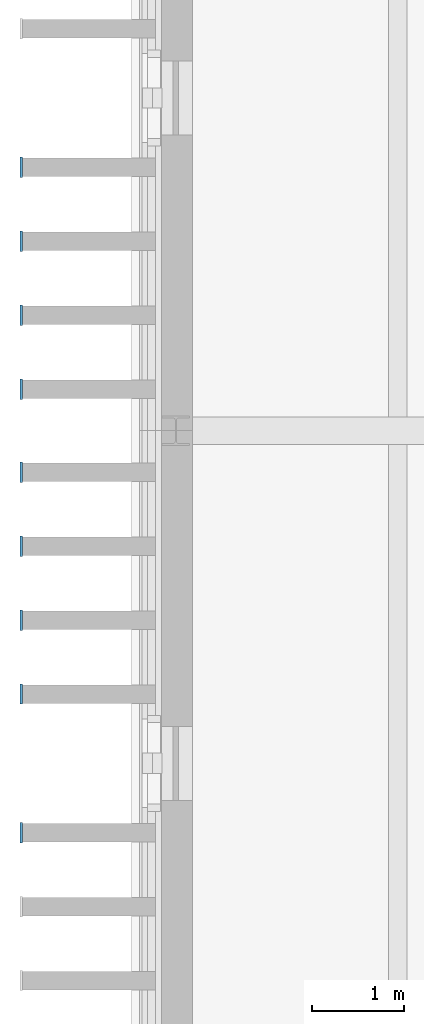
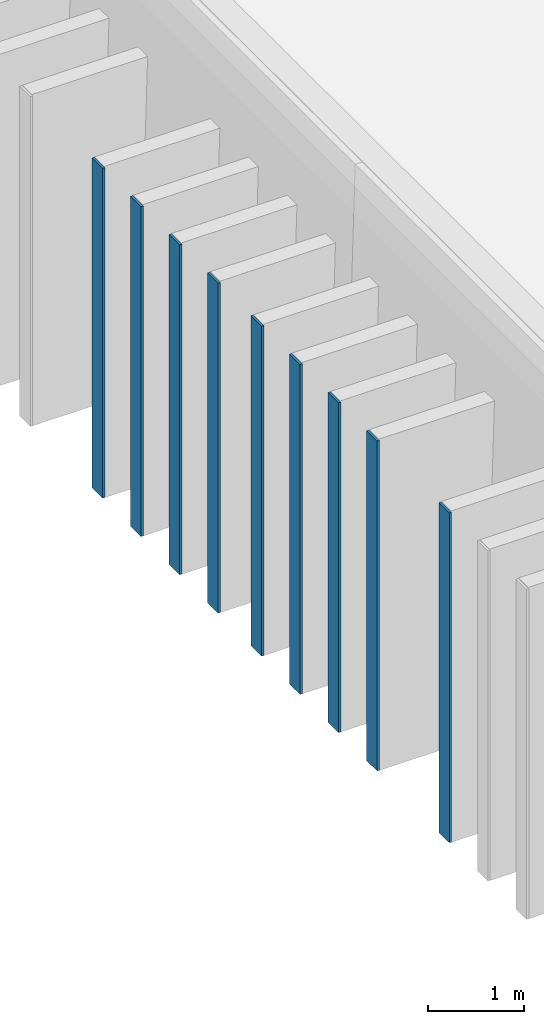
# One storey, part 14 of 44: 9 plates.
"""IFC4 building model written with IfcOpenShell, lengths in metres."""

from ifc_helpers import new_model, si_unit, direction, frame, origin, origin_2d, place, context, subcontext, project, spatial, rectangle, extrude, material, layer, layer_set, type_object, element, save


model = new_model("IFC4")

# Units and contexts
model_context = context("Model", 3, precision=1e-05, world=origin(), true_north=direction((0.0, 1.0)))
body_context = subcontext(model_context, "Body", "Model", "MODEL_VIEW")
ifc_project = project(units=[si_unit("LENGTHUNIT", "METRE"), si_unit("AREAUNIT", "SQUARE_METRE"), si_unit("VOLUMEUNIT", "CUBIC_METRE"), si_unit("PLANEANGLEUNIT", "RADIAN"), si_unit("MASSUNIT", "GRAM", prefix="KILO")], contexts=[model_context])

# Site, building, storey
site_placement = place(None, origin())
site = spatial("IfcSite", under=ifc_project, at=site_placement, CompositionType="ELEMENT")
building_placement = place(site_placement, origin())
building = spatial("IfcBuilding", under=site, at=building_placement, Name="Narikvali Park Central Library", CompositionType="ELEMENT")
storey_placement = place(building_placement, frame((0.0, 0.0, 22.800048828125)))
storey = spatial("IfcBuildingStorey", under=building, at=storey_placement, Name="L05", CompositionType="ELEMENT", Elevation=22.800048828125)

# Plates
ifc_material = material(Name="Anodised Bronze Aluminium", Category="aluminium")
ifc_layer = layer(ifc_material, 0.028076171875, Name="Anodised Bronze Aluminium")
ifc_layer_set = layer_set([ifc_layer], Name="Anodised Bronze Aluminium")
plate_type = type_object("IfcPlateType", Name="Vertical Brick Fin Bronze Bullnose Cap 28", PredefinedType="SHEET", material=ifc_layer_set)
for number, where, z_axis, x_axis, name in (
    (1, (-1.672119140625, 60.449951171875, 0.009765625), (0.0, 0.0, 1.0), (1.0, 0.0, 0.0), "West Stacks Fin Bullnose Trim 192"),
    (2, (-1.672119140625, 61.949951171875, 0.009765625), (0.0, 0.0, 1.0), (1.0, 0.0, 0.0), "West Stacks Fin Bullnose Trim 198"),
    (3, (-1.672119140625, 62.75, 0.009765625), (0.0, 0.0, 1.0), (1.0, 0.0, 0.0), "West Stacks Fin Bullnose Trim 204"),
    (4, (-1.672119140625, 63.550048828125, 0.009765625), (0.0, 0.0, 1.0), (1.0, 0.0, 0.0), "West Stacks Fin Bullnose Trim 210"),
    (5, (-1.672119140625, 64.35009765625, 0.009765625), (0.0, 0.0, 1.0), (1.0, 0.0, 0.0), "West Stacks Fin Bullnose Trim 216"),
    (6, (-1.672119140625, 65.25, 0.009765625), (0.0, 0.0, 1.0), (1.0, 0.0, 0.0), "West Stacks Fin Bullnose Trim 222"),
    (7, (-1.672119140625, 66.050048828125, 0.009765625), (0.0, 0.0, 1.0), (1.0, 0.0, 0.0), "West Stacks Fin Bullnose Trim 228"),
    (8, (-1.672119140625, 66.85009765625, 0.009765625), (0.0, 0.0, 1.0), (1.0, 0.0, 0.0), "West Stacks Fin Bullnose Trim 234"),
    (9, (-1.672119140625, 67.64990234375, 0.009765625), (0.0, 0.0, 1.0), (1.0, 0.0, 0.0), "West Stacks Fin Bullnose Trim 240"),
):
    element("IfcPlate", number, at=place(storey_placement, frame(where, z_axis=z_axis, x_axis=x_axis)), inside=storey, type_object=plate_type, Name=name, PredefinedType="SHEET", context=body_context, shape_type="SweptSolid", body=[
        extrude(rectangle(XDim=0.028076171875, YDim=0.219970703125, at=origin_2d()), origin(), (0.0, 0.0, 1.0), 4.179931640625),
    ])

save(model, "model.ifc")
